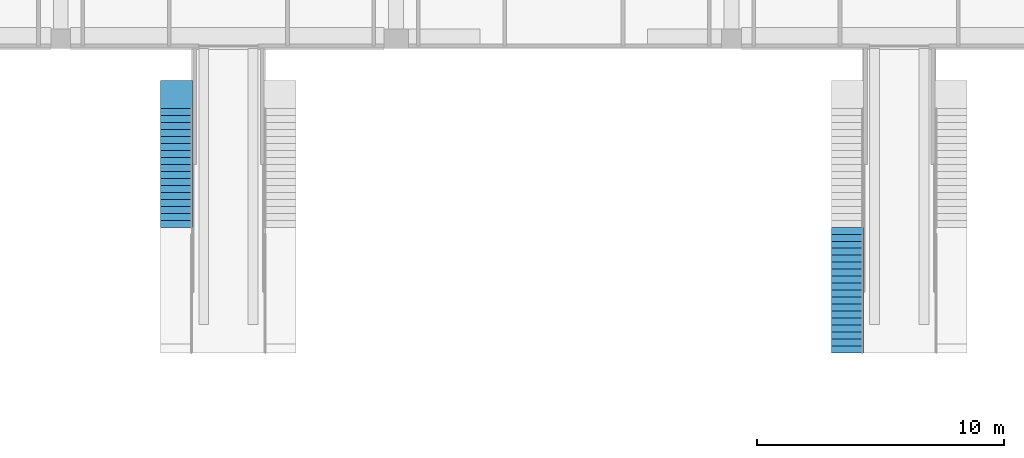
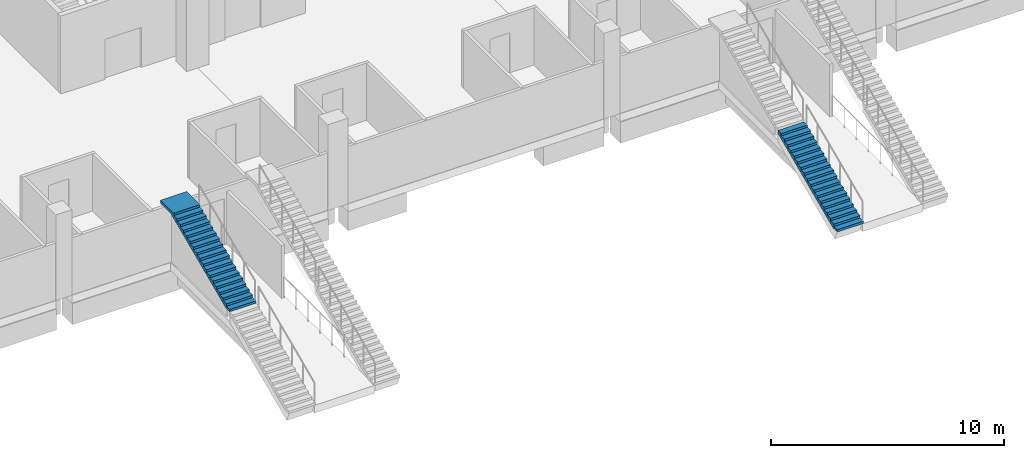
# One storey, part 123 of 175: 2 stair flights, 2 elements without a shape of their own.
"""IFC4 building model written with IfcOpenShell, lengths in metres."""

import ifcopenshell
import ifcopenshell.guid

model = None  # the IFC model being written
_history = None  # IfcOwnerHistory: only IFC2X3 demands one
_inside = {}  # id of a spatial element -> (the spatial element, [elements in it])
_under = {}  # id of a project, library or spatial element -> (it, [spatial elements below it])
_declared = {}  # id of a project -> (the project, [libraries it declares])
_typed = {}  # id of a type object -> (the type object, [elements of that type])
_made_of = {}  # id of a material, layer set ... -> (it, [elements and type objects made of it])


def new_model(schema):
    """Start an empty IFC model of exactly this schema.

    Asked for "IFC4X3", IfcOpenShell would pick the latest addendum, in which some entities
    have other attributes; the version numbers below select the first issue.
    IFC2X3 requires an IfcOwnerHistory on every rooted entity: one is made here for all.
    """
    global model, _history
    if schema == "IFC4X3":
        model = ifcopenshell.file(schema_version=(4, 3, 0, 0))
    else:
        model = ifcopenshell.file(schema=schema)
    _inside.clear()
    _under.clear()
    _declared.clear()
    _typed.clear()
    _made_of.clear()
    _history = None
    if model.schema == "IFC2X3":
        org = make("IfcOrganization", Name="unknown")
        user = make(
            "IfcPersonAndOrganization",
            ThePerson=make("IfcPerson", FamilyName="unknown"),
            TheOrganization=org,
        )
        app = make(
            "IfcApplication",
            ApplicationDeveloper=org,
            Version="unknown",
            ApplicationFullName="unknown",
            ApplicationIdentifier="unknown",
        )
        _history = make(
            "IfcOwnerHistory",
            OwningUser=user,
            OwningApplication=app,
            ChangeAction="ADDED",
            CreationDate=0,
        )
    return model


def make(cls, **values):
    """One entity of the class cls with the attributes given. An attribute that is None is left unset."""
    return model.create_entity(
        cls, **{name: value for name, value in values.items() if value is not None}
    )


def rooted(cls, **values):
    """An entity with a GlobalId (a new one), such as an element, a storey or a relation."""
    return make(cls, GlobalId=ifcopenshell.guid.new(), OwnerHistory=_history, **values)


def si_unit(unit_type, name, prefix=None):
    """IfcSIUnit, for example si_unit("LENGTHUNIT", "METRE", prefix="MILLI")."""
    return make("IfcSIUnit", UnitType=unit_type, Prefix=prefix, Name=name)


def assignment(units):
    """IfcUnitAssignment: the units of a project."""
    return None if units is None else make("IfcUnitAssignment", Units=units)


def point(xyz):
    """IfcCartesianPoint."""
    return None if xyz is None else make("IfcCartesianPoint", Coordinates=xyz)


def direction(xyz):
    """IfcDirection."""
    return None if xyz is None else make("IfcDirection", DirectionRatios=xyz)


def frame(location, z_axis=None, x_axis=None):
    """IfcAxis2Placement3D, a coordinate frame: its origin and axes. An axis left out is left unset."""
    return make(
        "IfcAxis2Placement3D",
        Location=point(location),
        Axis=direction(z_axis),
        RefDirection=direction(x_axis),
    )


def origin():
    """The frame at (0, 0, 0) with its axes left unset."""
    return frame((0.0, 0.0, 0.0))


def place(relative_to, where):
    """IfcLocalPlacement: puts the frame where relative to a parent placement (None: the world)."""
    return make(
        "IfcLocalPlacement", PlacementRelTo=relative_to, RelativePlacement=where
    )


def context(
    kind, dimensions, precision=None, world=None, true_north=None, identifier=None
):
    """IfcGeometricRepresentationContext, for example the 3D "Model" context."""
    return make(
        "IfcGeometricRepresentationContext",
        ContextIdentifier=identifier,
        ContextType=kind,
        CoordinateSpaceDimension=dimensions,
        Precision=precision,
        WorldCoordinateSystem=world,
        TrueNorth=true_north,
    )


def subcontext(parent, identifier, kind, view, scale=None):
    """IfcGeometricRepresentationSubContext, for example "Body" below "Model"."""
    return make(
        "IfcGeometricRepresentationSubContext",
        ContextIdentifier=identifier,
        ContextType=kind,
        ParentContext=parent,
        TargetScale=scale,
        TargetView=view,
    )


def project(units=None, contexts=None):
    """IfcProject with its units and contexts."""
    return rooted(
        "IfcProject",
        Name="project",
        RepresentationContexts=contexts,
        UnitsInContext=assignment(units),
    )


def spatial(cls, under=None, at=None, **own):
    """A site, building, storey or space (cls), placed at a placement, below another one or the project."""
    s = rooted(cls, ObjectPlacement=at, **own)
    if under is not None:
        _under.setdefault(under.id(), (under, []))[1].append(s)
    return s


def faces_of(points, faces, orient=None, outer=None):
    """IfcFace entities. A face is a list of loops; a loop is a list of indices into points, from 0.

    orient and outer hold one flag for each loop. By default every Orientation is true, the
    first loop of a face is its IfcFaceOuterBound and the others are IfcFaceBound.
    """
    made = []
    for i, loops in enumerate(faces):
        bounds = []
        for j, loop in enumerate(loops):
            is_outer = j == 0 if outer is None else outer[i][j]
            bounds.append(
                make(
                    "IfcFaceOuterBound" if is_outer else "IfcFaceBound",
                    Bound=make("IfcPolyLoop", Polygon=[points[k] for k in loop]),
                    Orientation=True if orient is None else orient[i][j],
                )
            )
        made.append(make("IfcFace", Bounds=bounds))
    return made


def faceted_brep(points, faces, orient=None, outer=None, voids=None):
    """IfcFacetedBrep: a solid bounded by flat faces; with voids (closed shells), ...WithVoids."""
    shared = [point(p) for p in points]
    hull = make("IfcClosedShell", CfsFaces=faces_of(shared, faces, orient, outer))
    if voids is None:
        return make("IfcFacetedBrep", Outer=hull)
    return make(
        "IfcFacetedBrepWithVoids",
        Outer=hull,
        Voids=[
            make(cls, CfsFaces=faces_of(shared, fs, o, b)) for cls, fs, o, b in voids
        ],
    )


def shape(context_of_items, identifier, shape_type, items):
    """IfcShapeRepresentation: the items that make up one representation, for example the "Body"."""
    return make(
        "IfcShapeRepresentation",
        ContextOfItems=context_of_items,
        RepresentationIdentifier=identifier,
        RepresentationType=shape_type,
        Items=items,
    )


def material(Name=None, Category=None):
    """IfcMaterial."""
    return make("IfcMaterial", Name=Name, Category=Category)


def made_of(thing, what):
    """Note that an element or type object is made of a material, layer set ...; save() writes the relation."""
    if what is not None:
        _made_of.setdefault(what.id(), (what, []))[1].append(thing)
    return thing


def type_object(cls, material=None, **own):
    """A type object (cls), such as IfcWallType, which elements share."""
    return made_of(rooted(cls, **own), material)


def element(
    cls,
    number,
    at=None,
    inside=None,
    cuts=None,
    type_object=None,
    material=None,
    context=None,
    identifier="Body",
    shape_type=None,
    held_by="IfcProductDefinitionShape",
    body=None,
    shapes=None,
    **own,
):
    """One element of the class cls, such as IfcWall. Its Tag is "e" and its number.

    at: its placement. inside: the storey or other place that contains it. cuts: it is an
    opening in that element (IfcRelVoidsElement). A single representation is given by context,
    identifier, shape_type and body (its items); several are given by shapes. held_by: the class
    of the entity that holds the representations. save() writes the other relations.
    """
    e = rooted(cls, Tag="e%d" % number, ObjectPlacement=at, **own)
    if body is not None:
        shapes = [shape(context, identifier, shape_type, body)]
    if shapes is not None:
        e.Representation = make(held_by, Representations=shapes)
    if inside is not None:
        _inside.setdefault(inside.id(), (inside, []))[1].append(e)
    if cuts is not None:
        rooted(
            "IfcRelVoidsElement", RelatingBuildingElement=cuts, RelatedOpeningElement=e
        )
    if type_object is not None:
        _typed.setdefault(type_object.id(), (type_object, []))[1].append(e)
    return made_of(e, material)


def aggregate(whole, parts):
    """IfcRelAggregates: a whole, such as a stair, and the parts it consists of."""
    return rooted("IfcRelAggregates", RelatingObject=whole, RelatedObjects=parts)


def save(model, path):
    """Write the relations noted so far, then the file.

    IfcRelAggregates (storeys below a building ...), IfcRelContainedInSpatialStructure (elements
    in a storey), IfcRelDefinesByType, IfcRelAssociatesMaterial and IfcRelDeclares: one each for
    every whole, place, type object, material and project.
    """
    for whole, parts in _under.values():
        aggregate(whole, parts)
    for where, things in _inside.values():
        rooted(
            "IfcRelContainedInSpatialStructure",
            RelatedElements=things,
            RelatingStructure=where,
        )
    for kind, things in _typed.values():
        rooted("IfcRelDefinesByType", RelatedObjects=things, RelatingType=kind)
    for what, things in _made_of.values():
        rooted("IfcRelAssociatesMaterial", RelatedObjects=things, RelatingMaterial=what)
    for by, libraries in _declared.values():
        rooted("IfcRelDeclares", RelatingContext=by, RelatedDefinitions=libraries)
    model.write(path)


model = new_model("IFC4")

# Units and contexts
model_context = context("Model", 3, precision=1e-05, world=origin(), true_north=direction((0.0, 1.0)))
body_context = subcontext(model_context, "Body", "Model", "MODEL_VIEW")
ifc_project = project(units=[si_unit("LENGTHUNIT", "METRE"), si_unit("AREAUNIT", "SQUARE_METRE"), si_unit("VOLUMEUNIT", "CUBIC_METRE"), si_unit("PLANEANGLEUNIT", "RADIAN"), si_unit("MASSUNIT", "GRAM", prefix="KILO")], contexts=[model_context])

# Site, building, storey
site_placement = place(None, origin())
site = spatial("IfcSite", under=ifc_project, at=site_placement, CompositionType="ELEMENT")
building_placement = place(site_placement, origin())
building = spatial("IfcBuilding", under=site, at=building_placement, Name="Ogive Plaza Stadium", CompositionType="ELEMENT")
storey_placement = place(building_placement, origin())
storey = spatial("IfcBuildingStorey", under=building, at=storey_placement, Name="L00", CompositionType="ELEMENT", Elevation=0.0)

# Stair, stair flight
ifc_material_1 = material(Name="Concrete C40/50", Category="concrete")
stair_type = type_object("IfcStairType", Name="Aisle stair", PredefinedType="STRAIGHT_RUN_STAIR", material=ifc_material_1)
stair_1_placement = place(storey_placement, origin())
stair_1 = element("IfcStair", 1, at=stair_1_placement, inside=storey, type_object=stair_type, Name="Aisle stair SA33R", PredefinedType="STRAIGHT_RUN_STAIR")
ifc_material_2 = material(Name="Concrete C40/50", Category="concrete")
stair_flight_type = type_object("IfcStairFlightType", Name="Aisle stair flight", PredefinedType="STRAIGHT", material=ifc_material_2)
stair_flight_1_placement = place(storey_placement, frame((-15.699951171875, 72.75, 2.25), z_axis=(0.0, 0.0, 1.0), x_axis=(0.0, 1.0, 0.0)))
stair_flight_1 = element("IfcStairFlight", 2, at=stair_flight_1_placement, type_object=stair_flight_type, Name="SA33R flight 2", NumberOfRisers=18, NumberOfTreads=17, PredefinedType="STRAIGHT", RiserHeight=0.125, TreadLength=0.283333333, context=body_context, shape_type="Brep", body=[
    faceted_brep([(0.371337890625, -0.64990234375, 0.0), (5.10009765625, -0.64990234375, 2.086181640625), (5.949951171875, -0.64990234375, 2.086181640625), (5.949951171875, -0.64990234375, 2.25), (4.816650390625, -0.64990234375, 2.25), (4.816650390625, -0.64990234375, 2.125), (4.533447265625, -0.64990234375, 2.125), (4.533447265625, -0.64990234375, 2.0), (4.25, -0.64990234375, 2.0), (4.25, -0.64990234375, 1.875), (3.966552734375, -0.64990234375, 1.875), (3.966552734375, -0.64990234375, 1.75), (3.683349609375, -0.64990234375, 1.75), (3.683349609375, -0.64990234375, 1.625), (3.39990234375, -0.64990234375, 1.625), (3.39990234375, -0.64990234375, 1.5), (3.11669921875, -0.64990234375, 1.5), (3.11669921875, -0.64990234375, 1.375), (2.833251953125, -0.64990234375, 1.375), (2.833251953125, -0.64990234375, 1.25), (2.550048828125, -0.64990234375, 1.25), (2.550048828125, -0.64990234375, 1.125), (2.2666015625, -0.64990234375, 1.125), (2.2666015625, -0.64990234375, 1.0), (1.9833984375, -0.64990234375, 1.0), (1.9833984375, -0.64990234375, 0.875), (1.699951171875, -0.64990234375, 0.875), (1.699951171875, -0.64990234375, 0.75), (1.416748046875, -0.64990234375, 0.75), (1.416748046875, -0.64990234375, 0.625), (1.13330078125, -0.64990234375, 0.625), (1.13330078125, -0.64990234375, 0.5), (0.85009765625, -0.64990234375, 0.5), (0.85009765625, -0.64990234375, 0.375), (0.566650390625, -0.64990234375, 0.375), (0.566650390625, -0.64990234375, 0.25), (0.283447265625, -0.64990234375, 0.25), (0.283447265625, -0.64990234375, 0.125), (0.0, -0.64990234375, 0.125), (0.0, -0.64990234375, 0.0), (0.0, 0.64990234375, 0.0), (0.0, 0.64990234375, 0.125), (0.283447265625, 0.64990234375, 0.125), (0.283447265625, 0.64990234375, 0.25), (0.566650390625, 0.64990234375, 0.25), (0.566650390625, 0.64990234375, 0.375), (0.85009765625, 0.64990234375, 0.375), (0.85009765625, 0.64990234375, 0.5), (1.13330078125, 0.64990234375, 0.5), (1.13330078125, 0.64990234375, 0.625), (1.416748046875, 0.64990234375, 0.625), (1.416748046875, 0.64990234375, 0.75), (1.699951171875, 0.64990234375, 0.75), (1.699951171875, 0.64990234375, 0.875), (1.9833984375, 0.64990234375, 0.875), (1.9833984375, 0.64990234375, 1.0), (2.2666015625, 0.64990234375, 1.0), (2.2666015625, 0.64990234375, 1.125), (2.550048828125, 0.64990234375, 1.125), (2.550048828125, 0.64990234375, 1.25), (2.833251953125, 0.64990234375, 1.25), (2.833251953125, 0.64990234375, 1.375), (3.11669921875, 0.64990234375, 1.375), (3.11669921875, 0.64990234375, 1.5), (3.39990234375, 0.64990234375, 1.5), (3.39990234375, 0.64990234375, 1.625), (3.683349609375, 0.64990234375, 1.625), (3.683349609375, 0.64990234375, 1.75), (3.966552734375, 0.64990234375, 1.75), (3.966552734375, 0.64990234375, 1.875), (4.25, 0.64990234375, 1.875), (4.25, 0.64990234375, 2.0), (4.533447265625, 0.64990234375, 2.0), (4.533447265625, 0.64990234375, 2.125), (4.816650390625, 0.64990234375, 2.125), (4.816650390625, 0.64990234375, 2.25), (5.949951171875, 0.64990234375, 2.25), (5.949951171875, 0.64990234375, 2.086181640625), (5.10009765625, 0.64990234375, 2.086181640625), (0.371337890625, 0.64990234375, 0.0), (0.371337890625, -0.324951171875, 0.0), (5.10009765625, -0.324951171875, 2.086181640625), (0.371337890625, 0.0, 0.0), (5.10009765625, 0.0, 2.086181640625), (0.371337890625, 0.324951171875, 0.0), (5.10009765625, 0.324951171875, 2.086181640625), (5.949951171875, -0.324951171875, 2.086181640625), (5.949951171875, 0.0, 2.086181640625), (5.949951171875, 0.324951171875, 2.086181640625), (5.949951171875, -0.324951171875, 2.25), (5.949951171875, 0.0, 2.25), (5.949951171875, 0.324951171875, 2.25), (4.816650390625, -0.324951171875, 2.25), (4.816650390625, 0.0, 2.25), (4.816650390625, 0.324951171875, 2.25), (4.816650390625, -0.324951171875, 2.125), (4.816650390625, 0.0, 2.125), (4.816650390625, 0.324951171875, 2.125), (4.533447265625, -0.324951171875, 2.125), (4.533447265625, 0.0, 2.125), (4.533447265625, 0.324951171875, 2.125), (4.533447265625, -0.324951171875, 2.0), (4.533447265625, 0.0, 2.0), (4.533447265625, 0.324951171875, 2.0), (4.25, -0.324951171875, 2.0), (4.25, 0.0, 2.0), (4.25, 0.324951171875, 2.0), (4.25, -0.324951171875, 1.875), (4.25, 0.0, 1.875), (4.25, 0.324951171875, 1.875), (3.966552734375, -0.324951171875, 1.875), (3.966552734375, 0.0, 1.875), (3.966552734375, 0.324951171875, 1.875), (3.966552734375, -0.324951171875, 1.75), (3.966552734375, 0.0, 1.75), (3.966552734375, 0.324951171875, 1.75), (3.683349609375, -0.324951171875, 1.75), (3.683349609375, 0.0, 1.75), (3.683349609375, 0.324951171875, 1.75), (3.683349609375, -0.324951171875, 1.625), (3.683349609375, 0.0, 1.625), (3.683349609375, 0.324951171875, 1.625), (3.39990234375, -0.324951171875, 1.625), (3.39990234375, 0.0, 1.625), (3.39990234375, 0.324951171875, 1.625), (3.39990234375, -0.324951171875, 1.5), (3.39990234375, 0.0, 1.5), (3.39990234375, 0.324951171875, 1.5), (3.11669921875, -0.324951171875, 1.5), (3.11669921875, 0.0, 1.5), (3.11669921875, 0.324951171875, 1.5), (3.11669921875, -0.324951171875, 1.375), (3.11669921875, 0.0, 1.375), (3.11669921875, 0.324951171875, 1.375), (2.833251953125, -0.324951171875, 1.375), (2.833251953125, 0.0, 1.375), (2.833251953125, 0.324951171875, 1.375), (2.833251953125, -0.324951171875, 1.25), (2.833251953125, 0.0, 1.25), (2.833251953125, 0.324951171875, 1.25), (2.550048828125, -0.324951171875, 1.25), (2.550048828125, 0.0, 1.25), (2.550048828125, 0.324951171875, 1.25), (2.550048828125, -0.324951171875, 1.125), (2.550048828125, 0.0, 1.125), (2.550048828125, 0.324951171875, 1.125), (2.2666015625, -0.324951171875, 1.125), (2.2666015625, 0.0, 1.125), (2.2666015625, 0.324951171875, 1.125), (2.2666015625, -0.324951171875, 1.0), (2.2666015625, 0.0, 1.0), (2.2666015625, 0.324951171875, 1.0), (1.9833984375, -0.324951171875, 1.0), (1.9833984375, 0.0, 1.0), (1.9833984375, 0.324951171875, 1.0), (1.9833984375, -0.324951171875, 0.875), (1.9833984375, 0.0, 0.875), (1.9833984375, 0.324951171875, 0.875), (1.699951171875, -0.324951171875, 0.875), (1.699951171875, 0.0, 0.875), (1.699951171875, 0.324951171875, 0.875), (1.699951171875, -0.324951171875, 0.75), (1.699951171875, 0.0, 0.75), (1.699951171875, 0.324951171875, 0.75), (1.416748046875, -0.324951171875, 0.75), (1.416748046875, 0.0, 0.75), (1.416748046875, 0.324951171875, 0.75), (1.416748046875, -0.324951171875, 0.625), (1.416748046875, 0.0, 0.625), (1.416748046875, 0.324951171875, 0.625), (1.13330078125, -0.324951171875, 0.625), (1.13330078125, 0.0, 0.625), (1.13330078125, 0.324951171875, 0.625), (1.13330078125, -0.324951171875, 0.5), (1.13330078125, 0.0, 0.5), (1.13330078125, 0.324951171875, 0.5), (0.85009765625, -0.324951171875, 0.5), (0.85009765625, 0.0, 0.5), (0.85009765625, 0.324951171875, 0.5), (0.85009765625, -0.324951171875, 0.375), (0.85009765625, 0.0, 0.375), (0.85009765625, 0.324951171875, 0.375), (0.566650390625, -0.324951171875, 0.375), (0.566650390625, 0.0, 0.375), (0.566650390625, 0.324951171875, 0.375), (0.566650390625, -0.324951171875, 0.25), (0.566650390625, 0.0, 0.25), (0.566650390625, 0.324951171875, 0.25), (0.283447265625, -0.324951171875, 0.25), (0.283447265625, 0.0, 0.25), (0.283447265625, 0.324951171875, 0.25), (0.283447265625, -0.324951171875, 0.125), (0.283447265625, 0.0, 0.125), (0.283447265625, 0.324951171875, 0.125), (0.0, -0.324951171875, 0.125), (0.0, 0.0, 0.125), (0.0, 0.324951171875, 0.125), (0.0, -0.324951171875, 0.0), (0.0, 0.0, 0.0), (0.0, 0.324951171875, 0.0)], [[[0, 1, 2, 3, 4, 5, 6, 7, 8, 9, 10, 11, 12, 13, 14, 15, 16, 17, 18, 19, 20, 21, 22, 23, 24, 25, 26, 27, 28, 29, 30, 31, 32, 33, 34, 35, 36, 37, 38, 39]], [[40, 41, 42, 43, 44, 45, 46, 47, 48, 49, 50, 51, 52, 53, 54, 55, 56, 57, 58, 59, 60, 61, 62, 63, 64, 65, 66, 67, 68, 69, 70, 71, 72, 73, 74, 75, 76, 77, 78, 79]], [[0, 80, 81, 1]], [[80, 82, 83, 81]], [[82, 84, 85, 83]], [[84, 79, 78, 85]], [[1, 81, 86, 2]], [[81, 83, 87, 86]], [[83, 85, 88, 87]], [[85, 78, 77, 88]], [[2, 86, 89, 3]], [[86, 87, 90, 89]], [[87, 88, 91, 90]], [[88, 77, 76, 91]], [[3, 89, 92, 4]], [[89, 90, 93, 92]], [[90, 91, 94, 93]], [[91, 76, 75, 94]], [[4, 92, 95, 5]], [[92, 93, 96, 95]], [[93, 94, 97, 96]], [[94, 75, 74, 97]], [[5, 95, 98, 6]], [[95, 96, 99, 98]], [[96, 97, 100, 99]], [[97, 74, 73, 100]], [[6, 98, 101, 7]], [[98, 99, 102, 101]], [[99, 100, 103, 102]], [[100, 73, 72, 103]], [[7, 101, 104, 8]], [[101, 102, 105, 104]], [[102, 103, 106, 105]], [[103, 72, 71, 106]], [[8, 104, 107, 9]], [[104, 105, 108, 107]], [[105, 106, 109, 108]], [[106, 71, 70, 109]], [[9, 107, 110, 10]], [[107, 108, 111, 110]], [[108, 109, 112, 111]], [[109, 70, 69, 112]], [[10, 110, 113, 11]], [[110, 111, 114, 113]], [[111, 112, 115, 114]], [[112, 69, 68, 115]], [[11, 113, 116, 12]], [[113, 114, 117, 116]], [[114, 115, 118, 117]], [[115, 68, 67, 118]], [[12, 116, 119, 13]], [[116, 117, 120, 119]], [[117, 118, 121, 120]], [[118, 67, 66, 121]], [[13, 119, 122, 14]], [[119, 120, 123, 122]], [[120, 121, 124, 123]], [[121, 66, 65, 124]], [[14, 122, 125, 15]], [[122, 123, 126, 125]], [[123, 124, 127, 126]], [[124, 65, 64, 127]], [[15, 125, 128, 16]], [[125, 126, 129, 128]], [[126, 127, 130, 129]], [[127, 64, 63, 130]], [[16, 128, 131, 17]], [[128, 129, 132, 131]], [[129, 130, 133, 132]], [[130, 63, 62, 133]], [[17, 131, 134, 18]], [[131, 132, 135, 134]], [[132, 133, 136, 135]], [[133, 62, 61, 136]], [[18, 134, 137, 19]], [[134, 135, 138, 137]], [[135, 136, 139, 138]], [[136, 61, 60, 139]], [[19, 137, 140, 20]], [[137, 138, 141, 140]], [[138, 139, 142, 141]], [[139, 60, 59, 142]], [[20, 140, 143, 21]], [[140, 141, 144, 143]], [[141, 142, 145, 144]], [[142, 59, 58, 145]], [[21, 143, 146, 22]], [[143, 144, 147, 146]], [[144, 145, 148, 147]], [[145, 58, 57, 148]], [[22, 146, 149, 23]], [[146, 147, 150, 149]], [[147, 148, 151, 150]], [[148, 57, 56, 151]], [[23, 149, 152, 24]], [[149, 150, 153, 152]], [[150, 151, 154, 153]], [[151, 56, 55, 154]], [[24, 152, 155, 25]], [[152, 153, 156, 155]], [[153, 154, 157, 156]], [[154, 55, 54, 157]], [[25, 155, 158, 26]], [[155, 156, 159, 158]], [[156, 157, 160, 159]], [[157, 54, 53, 160]], [[26, 158, 161, 27]], [[158, 159, 162, 161]], [[159, 160, 163, 162]], [[160, 53, 52, 163]], [[27, 161, 164, 28]], [[161, 162, 165, 164]], [[162, 163, 166, 165]], [[163, 52, 51, 166]], [[28, 164, 167, 29]], [[164, 165, 168, 167]], [[165, 166, 169, 168]], [[166, 51, 50, 169]], [[29, 167, 170, 30]], [[167, 168, 171, 170]], [[168, 169, 172, 171]], [[169, 50, 49, 172]], [[30, 170, 173, 31]], [[170, 171, 174, 173]], [[171, 172, 175, 174]], [[172, 49, 48, 175]], [[31, 173, 176, 32]], [[173, 174, 177, 176]], [[174, 175, 178, 177]], [[175, 48, 47, 178]], [[32, 176, 179, 33]], [[176, 177, 180, 179]], [[177, 178, 181, 180]], [[178, 47, 46, 181]], [[33, 179, 182, 34]], [[179, 180, 183, 182]], [[180, 181, 184, 183]], [[181, 46, 45, 184]], [[34, 182, 185, 35]], [[182, 183, 186, 185]], [[183, 184, 187, 186]], [[184, 45, 44, 187]], [[35, 185, 188, 36]], [[185, 186, 189, 188]], [[186, 187, 190, 189]], [[187, 44, 43, 190]], [[36, 188, 191, 37]], [[188, 189, 192, 191]], [[189, 190, 193, 192]], [[190, 43, 42, 193]], [[37, 191, 194, 38]], [[191, 192, 195, 194]], [[192, 193, 196, 195]], [[193, 42, 41, 196]], [[38, 194, 197, 39]], [[194, 195, 198, 197]], [[195, 196, 199, 198]], [[196, 41, 40, 199]], [[39, 197, 80, 0]], [[197, 198, 82, 80]], [[198, 199, 84, 82]], [[199, 40, 79, 84]]]),
])
aggregate(stair_1, [stair_flight_1])

stair_2_placement = place(storey_placement, origin())
stair_2 = element("IfcStair", 3, at=stair_2_placement, inside=storey, type_object=stair_type, Name="Aisle stair SA35R", PredefinedType="STRAIGHT_RUN_STAIR")
stair_flight_2_placement = place(storey_placement, frame((11.5, 67.64990234375, 0.0), z_axis=(0.0, 0.0, 1.0), x_axis=(0.0, 1.0, 0.0)))
stair_flight_2 = element("IfcStairFlight", 4, at=stair_flight_2_placement, type_object=stair_flight_type, Name="SA35R flight 1", NumberOfRisers=18, NumberOfTreads=17, PredefinedType="STRAIGHT", RiserHeight=0.125, TreadLength=0.283333333, context=body_context, shape_type="Brep", body=[
    faceted_brep([(0.371337890625, -0.64990234375, 0.0), (5.10009765625, -0.64990234375, 2.086181640625), (5.10009765625, -0.64990234375, 2.25), (4.816650390625, -0.64990234375, 2.25), (4.816650390625, -0.64990234375, 2.125), (4.533447265625, -0.64990234375, 2.125), (4.533447265625, -0.64990234375, 2.0), (4.25, -0.64990234375, 2.0), (4.25, -0.64990234375, 1.875), (3.966552734375, -0.64990234375, 1.875), (3.966552734375, -0.64990234375, 1.75), (3.683349609375, -0.64990234375, 1.75), (3.683349609375, -0.64990234375, 1.625), (3.39990234375, -0.64990234375, 1.625), (3.39990234375, -0.64990234375, 1.5), (3.11669921875, -0.64990234375, 1.5), (3.11669921875, -0.64990234375, 1.375), (2.833251953125, -0.64990234375, 1.375), (2.833251953125, -0.64990234375, 1.25), (2.550048828125, -0.64990234375, 1.25), (2.550048828125, -0.64990234375, 1.125), (2.2666015625, -0.64990234375, 1.125), (2.2666015625, -0.64990234375, 1.0), (1.9833984375, -0.64990234375, 1.0), (1.9833984375, -0.64990234375, 0.875), (1.699951171875, -0.64990234375, 0.875), (1.699951171875, -0.64990234375, 0.75), (1.416748046875, -0.64990234375, 0.75), (1.416748046875, -0.64990234375, 0.625), (1.13330078125, -0.64990234375, 0.625), (1.13330078125, -0.64990234375, 0.5), (0.85009765625, -0.64990234375, 0.5), (0.85009765625, -0.64990234375, 0.375), (0.566650390625, -0.64990234375, 0.375), (0.566650390625, -0.64990234375, 0.25), (0.283447265625, -0.64990234375, 0.25), (0.283447265625, -0.64990234375, 0.125), (0.0, -0.64990234375, 0.125), (0.0, -0.64990234375, 0.0), (0.0, 0.64990234375, 0.0), (0.0, 0.64990234375, 0.125), (0.283447265625, 0.64990234375, 0.125), (0.283447265625, 0.64990234375, 0.25), (0.566650390625, 0.64990234375, 0.25), (0.566650390625, 0.64990234375, 0.375), (0.85009765625, 0.64990234375, 0.375), (0.85009765625, 0.64990234375, 0.5), (1.13330078125, 0.64990234375, 0.5), (1.13330078125, 0.64990234375, 0.625), (1.416748046875, 0.64990234375, 0.625), (1.416748046875, 0.64990234375, 0.75), (1.699951171875, 0.64990234375, 0.75), (1.699951171875, 0.64990234375, 0.875), (1.9833984375, 0.64990234375, 0.875), (1.9833984375, 0.64990234375, 1.0), (2.2666015625, 0.64990234375, 1.0), (2.2666015625, 0.64990234375, 1.125), (2.550048828125, 0.64990234375, 1.125), (2.550048828125, 0.64990234375, 1.25), (2.833251953125, 0.64990234375, 1.25), (2.833251953125, 0.64990234375, 1.375), (3.11669921875, 0.64990234375, 1.375), (3.11669921875, 0.64990234375, 1.5), (3.39990234375, 0.64990234375, 1.5), (3.39990234375, 0.64990234375, 1.625), (3.683349609375, 0.64990234375, 1.625), (3.683349609375, 0.64990234375, 1.75), (3.966552734375, 0.64990234375, 1.75), (3.966552734375, 0.64990234375, 1.875), (4.25, 0.64990234375, 1.875), (4.25, 0.64990234375, 2.0), (4.533447265625, 0.64990234375, 2.0), (4.533447265625, 0.64990234375, 2.125), (4.816650390625, 0.64990234375, 2.125), (4.816650390625, 0.64990234375, 2.25), (5.10009765625, 0.64990234375, 2.25), (5.10009765625, 0.64990234375, 2.086181640625), (0.371337890625, 0.64990234375, 0.0), (0.371337890625, -0.324951171875, 0.0), (5.10009765625, -0.324951171875, 2.086181640625), (0.371337890625, 0.0, 0.0), (5.10009765625, 0.0, 2.086181640625), (0.371337890625, 0.324951171875, 0.0), (5.10009765625, 0.324951171875, 2.086181640625), (5.10009765625, -0.324951171875, 2.25), (5.10009765625, 0.0, 2.25), (5.10009765625, 0.324951171875, 2.25), (4.816650390625, -0.324951171875, 2.25), (4.816650390625, 0.0, 2.25), (4.816650390625, 0.324951171875, 2.25), (4.816650390625, -0.324951171875, 2.125), (4.816650390625, 0.0, 2.125), (4.816650390625, 0.324951171875, 2.125), (4.533447265625, -0.324951171875, 2.125), (4.533447265625, 0.0, 2.125), (4.533447265625, 0.324951171875, 2.125), (4.533447265625, -0.324951171875, 2.0), (4.533447265625, 0.0, 2.0), (4.533447265625, 0.324951171875, 2.0), (4.25, -0.324951171875, 2.0), (4.25, 0.0, 2.0), (4.25, 0.324951171875, 2.0), (4.25, -0.324951171875, 1.875), (4.25, 0.0, 1.875), (4.25, 0.324951171875, 1.875), (3.966552734375, -0.324951171875, 1.875), (3.966552734375, 0.0, 1.875), (3.966552734375, 0.324951171875, 1.875), (3.966552734375, -0.324951171875, 1.75), (3.966552734375, 0.0, 1.75), (3.966552734375, 0.324951171875, 1.75), (3.683349609375, -0.324951171875, 1.75), (3.683349609375, 0.0, 1.75), (3.683349609375, 0.324951171875, 1.75), (3.683349609375, -0.324951171875, 1.625), (3.683349609375, 0.0, 1.625), (3.683349609375, 0.324951171875, 1.625), (3.39990234375, -0.324951171875, 1.625), (3.39990234375, 0.0, 1.625), (3.39990234375, 0.324951171875, 1.625), (3.39990234375, -0.324951171875, 1.5), (3.39990234375, 0.0, 1.5), (3.39990234375, 0.324951171875, 1.5), (3.11669921875, -0.324951171875, 1.5), (3.11669921875, 0.0, 1.5), (3.11669921875, 0.324951171875, 1.5), (3.11669921875, -0.324951171875, 1.375), (3.11669921875, 0.0, 1.375), (3.11669921875, 0.324951171875, 1.375), (2.833251953125, -0.324951171875, 1.375), (2.833251953125, 0.0, 1.375), (2.833251953125, 0.324951171875, 1.375), (2.833251953125, -0.324951171875, 1.25), (2.833251953125, 0.0, 1.25), (2.833251953125, 0.324951171875, 1.25), (2.550048828125, -0.324951171875, 1.25), (2.550048828125, 0.0, 1.25), (2.550048828125, 0.324951171875, 1.25), (2.550048828125, -0.324951171875, 1.125), (2.550048828125, 0.0, 1.125), (2.550048828125, 0.324951171875, 1.125), (2.2666015625, -0.324951171875, 1.125), (2.2666015625, 0.0, 1.125), (2.2666015625, 0.324951171875, 1.125), (2.2666015625, -0.324951171875, 1.0), (2.2666015625, 0.0, 1.0), (2.2666015625, 0.324951171875, 1.0), (1.9833984375, -0.324951171875, 1.0), (1.9833984375, 0.0, 1.0), (1.9833984375, 0.324951171875, 1.0), (1.9833984375, -0.324951171875, 0.875), (1.9833984375, 0.0, 0.875), (1.9833984375, 0.324951171875, 0.875), (1.699951171875, -0.324951171875, 0.875), (1.699951171875, 0.0, 0.875), (1.699951171875, 0.324951171875, 0.875), (1.699951171875, -0.324951171875, 0.75), (1.699951171875, 0.0, 0.75), (1.699951171875, 0.324951171875, 0.75), (1.416748046875, -0.324951171875, 0.75), (1.416748046875, 0.0, 0.75), (1.416748046875, 0.324951171875, 0.75), (1.416748046875, -0.324951171875, 0.625), (1.416748046875, 0.0, 0.625), (1.416748046875, 0.324951171875, 0.625), (1.13330078125, -0.324951171875, 0.625), (1.13330078125, 0.0, 0.625), (1.13330078125, 0.324951171875, 0.625), (1.13330078125, -0.324951171875, 0.5), (1.13330078125, 0.0, 0.5), (1.13330078125, 0.324951171875, 0.5), (0.85009765625, -0.324951171875, 0.5), (0.85009765625, 0.0, 0.5), (0.85009765625, 0.324951171875, 0.5), (0.85009765625, -0.324951171875, 0.375), (0.85009765625, 0.0, 0.375), (0.85009765625, 0.324951171875, 0.375), (0.566650390625, -0.324951171875, 0.375), (0.566650390625, 0.0, 0.375), (0.566650390625, 0.324951171875, 0.375), (0.566650390625, -0.324951171875, 0.25), (0.566650390625, 0.0, 0.25), (0.566650390625, 0.324951171875, 0.25), (0.283447265625, -0.324951171875, 0.25), (0.283447265625, 0.0, 0.25), (0.283447265625, 0.324951171875, 0.25), (0.283447265625, -0.324951171875, 0.125), (0.283447265625, 0.0, 0.125), (0.283447265625, 0.324951171875, 0.125), (0.0, -0.324951171875, 0.125), (0.0, 0.0, 0.125), (0.0, 0.324951171875, 0.125), (0.0, -0.324951171875, 0.0), (0.0, 0.0, 0.0), (0.0, 0.324951171875, 0.0)], [[[0, 1, 2, 3, 4, 5, 6, 7, 8, 9, 10, 11, 12, 13, 14, 15, 16, 17, 18, 19, 20, 21, 22, 23, 24, 25, 26, 27, 28, 29, 30, 31, 32, 33, 34, 35, 36, 37, 38]], [[39, 40, 41, 42, 43, 44, 45, 46, 47, 48, 49, 50, 51, 52, 53, 54, 55, 56, 57, 58, 59, 60, 61, 62, 63, 64, 65, 66, 67, 68, 69, 70, 71, 72, 73, 74, 75, 76, 77]], [[0, 78, 79, 1]], [[78, 80, 81, 79]], [[80, 82, 83, 81]], [[82, 77, 76, 83]], [[1, 79, 84, 2]], [[79, 81, 85, 84]], [[81, 83, 86, 85]], [[83, 76, 75, 86]], [[2, 84, 87, 3]], [[84, 85, 88, 87]], [[85, 86, 89, 88]], [[86, 75, 74, 89]], [[3, 87, 90, 4]], [[87, 88, 91, 90]], [[88, 89, 92, 91]], [[89, 74, 73, 92]], [[4, 90, 93, 5]], [[90, 91, 94, 93]], [[91, 92, 95, 94]], [[92, 73, 72, 95]], [[5, 93, 96, 6]], [[93, 94, 97, 96]], [[94, 95, 98, 97]], [[95, 72, 71, 98]], [[6, 96, 99, 7]], [[96, 97, 100, 99]], [[97, 98, 101, 100]], [[98, 71, 70, 101]], [[7, 99, 102, 8]], [[99, 100, 103, 102]], [[100, 101, 104, 103]], [[101, 70, 69, 104]], [[8, 102, 105, 9]], [[102, 103, 106, 105]], [[103, 104, 107, 106]], [[104, 69, 68, 107]], [[9, 105, 108, 10]], [[105, 106, 109, 108]], [[106, 107, 110, 109]], [[107, 68, 67, 110]], [[10, 108, 111, 11]], [[108, 109, 112, 111]], [[109, 110, 113, 112]], [[110, 67, 66, 113]], [[11, 111, 114, 12]], [[111, 112, 115, 114]], [[112, 113, 116, 115]], [[113, 66, 65, 116]], [[12, 114, 117, 13]], [[114, 115, 118, 117]], [[115, 116, 119, 118]], [[116, 65, 64, 119]], [[13, 117, 120, 14]], [[117, 118, 121, 120]], [[118, 119, 122, 121]], [[119, 64, 63, 122]], [[14, 120, 123, 15]], [[120, 121, 124, 123]], [[121, 122, 125, 124]], [[122, 63, 62, 125]], [[15, 123, 126, 16]], [[123, 124, 127, 126]], [[124, 125, 128, 127]], [[125, 62, 61, 128]], [[16, 126, 129, 17]], [[126, 127, 130, 129]], [[127, 128, 131, 130]], [[128, 61, 60, 131]], [[17, 129, 132, 18]], [[129, 130, 133, 132]], [[130, 131, 134, 133]], [[131, 60, 59, 134]], [[18, 132, 135, 19]], [[132, 133, 136, 135]], [[133, 134, 137, 136]], [[134, 59, 58, 137]], [[19, 135, 138, 20]], [[135, 136, 139, 138]], [[136, 137, 140, 139]], [[137, 58, 57, 140]], [[20, 138, 141, 21]], [[138, 139, 142, 141]], [[139, 140, 143, 142]], [[140, 57, 56, 143]], [[21, 141, 144, 22]], [[141, 142, 145, 144]], [[142, 143, 146, 145]], [[143, 56, 55, 146]], [[22, 144, 147, 23]], [[144, 145, 148, 147]], [[145, 146, 149, 148]], [[146, 55, 54, 149]], [[23, 147, 150, 24]], [[147, 148, 151, 150]], [[148, 149, 152, 151]], [[149, 54, 53, 152]], [[24, 150, 153, 25]], [[150, 151, 154, 153]], [[151, 152, 155, 154]], [[152, 53, 52, 155]], [[25, 153, 156, 26]], [[153, 154, 157, 156]], [[154, 155, 158, 157]], [[155, 52, 51, 158]], [[26, 156, 159, 27]], [[156, 157, 160, 159]], [[157, 158, 161, 160]], [[158, 51, 50, 161]], [[27, 159, 162, 28]], [[159, 160, 163, 162]], [[160, 161, 164, 163]], [[161, 50, 49, 164]], [[28, 162, 165, 29]], [[162, 163, 166, 165]], [[163, 164, 167, 166]], [[164, 49, 48, 167]], [[29, 165, 168, 30]], [[165, 166, 169, 168]], [[166, 167, 170, 169]], [[167, 48, 47, 170]], [[30, 168, 171, 31]], [[168, 169, 172, 171]], [[169, 170, 173, 172]], [[170, 47, 46, 173]], [[31, 171, 174, 32]], [[171, 172, 175, 174]], [[172, 173, 176, 175]], [[173, 46, 45, 176]], [[32, 174, 177, 33]], [[174, 175, 178, 177]], [[175, 176, 179, 178]], [[176, 45, 44, 179]], [[33, 177, 180, 34]], [[177, 178, 181, 180]], [[178, 179, 182, 181]], [[179, 44, 43, 182]], [[34, 180, 183, 35]], [[180, 181, 184, 183]], [[181, 182, 185, 184]], [[182, 43, 42, 185]], [[35, 183, 186, 36]], [[183, 184, 187, 186]], [[184, 185, 188, 187]], [[185, 42, 41, 188]], [[36, 186, 189, 37]], [[186, 187, 190, 189]], [[187, 188, 191, 190]], [[188, 41, 40, 191]], [[37, 189, 192, 38]], [[189, 190, 193, 192]], [[190, 191, 194, 193]], [[191, 40, 39, 194]], [[38, 192, 78, 0]], [[192, 193, 80, 78]], [[193, 194, 82, 80]], [[194, 39, 77, 82]]]),
])
aggregate(stair_2, [stair_flight_2])

save(model, "model.ifc")
